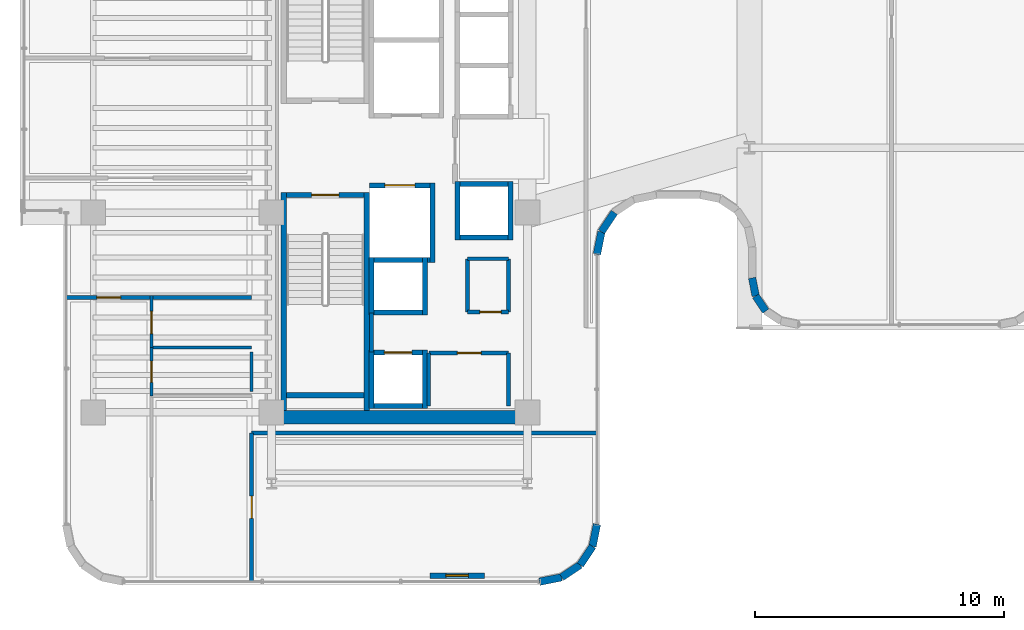
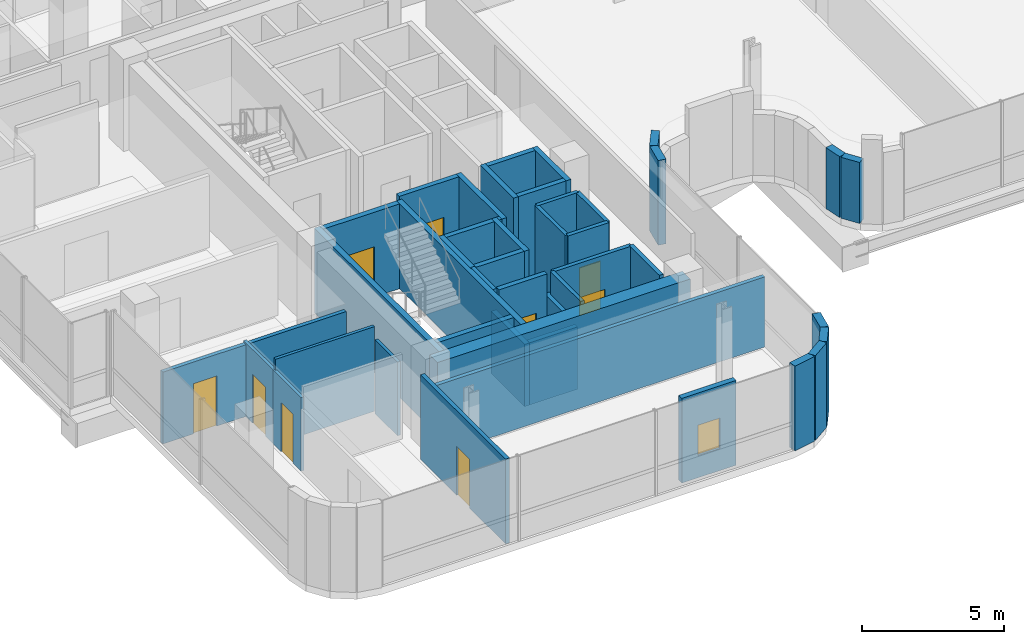
# One storey, part 26 of 38: 43 walls, 9 doors, 1 window, 10 openings.
"""IFC4 building model written with IfcOpenShell, lengths in metres."""

from ifc_helpers import new_model, si_unit, direction, frame, frame_2d, origin, place, context, subcontext, project, spatial, rectangle, extrude, material, layer, layer_set, type_object, element, fill, save


model = new_model("IFC4")

# Units and contexts
model_context = context("Model", 3, precision=1e-05, world=origin(), true_north=direction((0.0, 1.0)))
body_context = subcontext(model_context, "Body", "Model", "MODEL_VIEW")
ifc_project = project(units=[si_unit("LENGTHUNIT", "METRE"), si_unit("AREAUNIT", "SQUARE_METRE"), si_unit("VOLUMEUNIT", "CUBIC_METRE"), si_unit("PLANEANGLEUNIT", "RADIAN"), si_unit("MASSUNIT", "GRAM", prefix="KILO")], contexts=[model_context])

# Site, building, storey
site_placement = place(None, origin())
site = spatial("IfcSite", under=ifc_project, at=site_placement, CompositionType="ELEMENT")
building_placement = place(site_placement, origin())
building = spatial("IfcBuilding", under=site, at=building_placement, Name="Valdorenza Pilgrim Sanctuary Tower", CompositionType="ELEMENT")
storey_placement = place(building_placement, frame((0.0, 0.0, 180.5)))
storey = spatial("IfcBuildingStorey", under=building, at=storey_placement, Name="L46", CompositionType="ELEMENT", Elevation=180.5)

# Wall
ifc_material_1 = material(Name="Acoustic twin-stud gypsum partition", Category="gypsum")
ifc_layer_1 = layer(ifc_material_1, 0.159912109375, Name="Acoustic twin-stud gypsum partition")
ifc_layer_set_1 = layer_set([ifc_layer_1], Name="Acoustic twin-stud gypsum partition")
wall_type_1 = type_object("IfcWallType", Name="WAL-COR-160", PredefinedType="PARTITIONING", material=ifc_layer_set_1)
wall_1_placement = place(storey_placement, frame((-18.64990234375, -8.179931640625, 0.0), z_axis=(0.0, 0.0, 1.0), x_axis=(0.0, 1.0, 0.0)))
element("IfcWall", 1, at=wall_1_placement, inside=storey, type_object=wall_type_1, Name="L46 Core A South Lift Hall West Wall", PredefinedType="PARTITIONING", context=body_context, shape_type="SweptSolid", body=[
    extrude(rectangle(XDim=1.559814453125, YDim=0.159912109375, at=frame_2d((0.77978515625, 0.0))), origin(), (0.0, 0.0, 1.0), 3.6298828125),
])

# Wall, opening, door
wall_2_placement = place(storey_placement, frame((-16.35009765625, -8.219970703125, 0.0), z_axis=(0.0, 0.0, 1.0), x_axis=(1.0, 0.0, 0.0)))
wall_2 = element("IfcWall", 2, at=wall_2_placement, inside=storey, type_object=wall_type_1, Name="L46 Freed Shaft 1 North Wall", PredefinedType="PARTITIONING", context=body_context, shape_type="SweptSolid", body=[
    extrude(rectangle(XDim=3.2001953125, YDim=0.159912109375, at=frame_2d((1.60009765625, 0.0))), origin(), (0.0, 0.0, 1.0), 3.6298828125),
])
opening_1_placement = place(wall_2_placement, frame((1.14990234375, 0.0, 0.0)))
opening_1 = element("IfcOpeningElement", 3, at=opening_1_placement, cuts=wall_2, Name="Opening DR-UN1", PredefinedType="OPENING", context=body_context, shape_type="SweptSolid", body=[
    extrude(rectangle(XDim=0.949951171875, YDim=2.14990234375, at=frame_2d((0.47509765625, 1.074951171875))), frame((0.0, 0.0947265625, 0.0), z_axis=(0.0, -1.0, 0.0), x_axis=(1.0, 0.0, 0.0)), (0.0, 0.0, 1.0), 0.189697265625),
])
ifc_material_2 = material(Name="Solid-core European oak timber", Category="wood")
door_type_1 = type_object("IfcDoorType", Name="DR-UNIT-950", OperationType="NOTDEFINED", PredefinedType="DOOR", material=ifc_material_2)
door_1_placement = place(opening_1_placement, origin())
door_1 = element("IfcDoor", 4, at=door_1_placement, inside=storey, type_object=door_type_1, Name="L46 Back-of-House Linen Store Door", OperationType="SINGLE_SWING_RIGHT", OverallHeight=2.14990234375, OverallWidth=0.949951171875, PredefinedType="DOOR", context=body_context, shape_type="SweptSolid", body=[
    extrude(rectangle(XDim=0.949951171875, YDim=2.14990234375, at=frame_2d((0.47509765625, 1.074951171875))), frame((0.0, 0.02490234375, 0.0), z_axis=(0.0, -1.0, 0.0), x_axis=(1.0, 0.0, 0.0)), (0.0, 0.0, 1.0), 0.050048828125),
])
fill(opening_1, door_1)

# Wall
wall_3_placement = place(storey_placement, frame((-13.14990234375, -10.35009765625, 0.0), z_axis=(0.0, 0.0, 1.0), x_axis=(0.0, 1.0, 0.0)))
element("IfcWall", 5, at=wall_3_placement, inside=storey, type_object=wall_type_1, Name="L46 Freed Shaft 1 East Wall", PredefinedType="PARTITIONING", context=body_context, shape_type="SweptSolid", body=[
    extrude(rectangle(XDim=2.130126953125, YDim=0.159912109375, at=frame_2d((1.06494140625, 0.0))), origin(), (0.0, 0.0, 1.0), 3.6298828125),
])

# Wall, opening, door
wall_4_placement = place(storey_placement, frame((-14.800048828125, -6.580078125, 0.0), z_axis=(0.0, 0.0, 1.0), x_axis=(1.0, 0.0, 0.0)))
wall_4 = element("IfcWall", 6, at=wall_4_placement, inside=storey, type_object=wall_type_1, Name="L46 Freed Shaft 2 South Wall", PredefinedType="PARTITIONING", context=body_context, shape_type="SweptSolid", body=[
    extrude(rectangle(XDim=1.650146484375, YDim=0.159912109375, at=frame_2d((0.8251953125, 0.0))), origin(), (0.0, 0.0, 1.0), 3.6298828125),
])
opening_2_placement = place(wall_4_placement, frame((0.5, 0.0, 0.0)))
opening_2 = element("IfcOpeningElement", 7, at=opening_2_placement, cuts=wall_4, Name="Opening DR-RS1", PredefinedType="OPENING", context=body_context, shape_type="SweptSolid", body=[
    extrude(rectangle(XDim=0.85009765625, YDim=2.050048828125, at=frame_2d((0.425048828125, 1.02490234375))), frame((0.0, 0.0947265625, 0.0), z_axis=(0.0, -1.0, 0.0), x_axis=(1.0, 0.0, 0.0)), (0.0, 0.0, 1.0), 0.189697265625),
])
ifc_material_3 = material(Name="Painted galvanized steel", Category="steel")
door_type_2 = type_object("IfcDoorType", Name="DR-RSR-850", OperationType="NOTDEFINED", PredefinedType="DOOR", material=ifc_material_3)
door_2_placement = place(opening_2_placement, origin())
door_2 = element("IfcDoor", 8, at=door_2_placement, inside=storey, type_object=door_type_2, Name="L46 Guest Tea Pantry Door", OperationType="SINGLE_SWING_LEFT", OverallHeight=2.050048828125, OverallWidth=0.85009765625, PredefinedType="DOOR", context=body_context, shape_type="SweptSolid", body=[
    extrude(rectangle(XDim=0.85009765625, YDim=2.050048828125, at=frame_2d((0.425048828125, 1.02490234375))), frame((0.0, 0.02490234375, 0.0), z_axis=(0.0, -1.0, 0.0), x_axis=(1.0, 0.0, 0.0)), (0.0, 0.0, 1.0), 0.050048828125),
])
fill(opening_2, door_2)

# Walls
wall_5_placement = place(storey_placement, frame((-13.14990234375, -6.580078125, 0.0), z_axis=(0.0, 0.0, 1.0), x_axis=(0.0, 1.0, 0.0)))
element("IfcWall", 9, at=wall_5_placement, inside=storey, type_object=wall_type_1, Name="L46 Freed Shaft 2 East Wall", PredefinedType="PARTITIONING", context=body_context, shape_type="SweptSolid", body=[
    extrude(rectangle(XDim=2.130126953125, YDim=0.159912109375, at=frame_2d((1.06494140625, 0.0))), origin(), (0.0, 0.0, 1.0), 3.6298828125),
])
wall_6_placement = place(storey_placement, frame((-23.449951171875, -11.419921875, 0.0), z_axis=(0.0, 0.0, 1.0), x_axis=(1.0, 0.0, 0.0)))
element("IfcWall", 10, at=wall_6_placement, inside=storey, type_object=wall_type_1, Name="L46 South-East Pocket North Wall", PredefinedType="PARTITIONING", context=body_context, shape_type="SweptSolid", body=[
    extrude(rectangle(XDim=13.83984375, YDim=0.159912109375, at=frame_2d((6.919921875, 0.0))), origin(), (0.0, 0.0, 1.0), 3.00390625),
])

# Wall, opening, door
wall_7_placement = place(storey_placement, frame((-23.449951171875, -17.389892578125, 0.0), z_axis=(0.0, 0.0, 1.0), x_axis=(0.0, 1.0, 0.0)))
wall_7 = element("IfcWall", 11, at=wall_7_placement, inside=storey, type_object=wall_type_1, Name="L46 South-East Pocket West Wall", PredefinedType="PARTITIONING", context=body_context, shape_type="SweptSolid", body=[
    extrude(rectangle(XDim=5.969970703125, YDim=0.159912109375, at=frame_2d((2.98486328125, 0.0))), origin(), (0.0, 0.0, 1.0), 3.6298828125),
])
opening_3_placement = place(wall_7_placement, frame((2.534912109375, 0.0, 0.0)))
opening_3 = element("IfcOpeningElement", 12, at=opening_3_placement, cuts=wall_7, Name="Opening DR-RM1", PredefinedType="OPENING", context=body_context, shape_type="SweptSolid", body=[
    extrude(rectangle(XDim=0.89990234375, YDim=2.10009765625, at=frame_2d((0.449951171875, 1.050048828125))), frame((0.0, 0.0947265625, 0.0), z_axis=(0.0, -1.0, 0.0), x_axis=(1.0, 0.0, 0.0)), (0.0, 0.0, 1.0), 0.189697265625),
])
door_type_3 = type_object("IfcDoorType", Name="DR-ROOM-900", OperationType="NOTDEFINED", PredefinedType="DOOR", material=ifc_material_2)
door_3_placement = place(opening_3_placement, origin())
door_3 = element("IfcDoor", 13, at=door_3_placement, inside=storey, type_object=door_type_3, Name="L46 South Panoramic Viewing Salon L46 Door", OperationType="SINGLE_SWING_RIGHT", OverallHeight=2.10009765625, OverallWidth=0.89990234375, PredefinedType="DOOR", context=body_context, shape_type="SweptSolid", body=[
    extrude(rectangle(XDim=0.89990234375, YDim=2.10009765625, at=frame_2d((0.449951171875, 1.050048828125))), frame((0.0, 0.02490234375, 0.0), z_axis=(0.0, -1.0, 0.0), x_axis=(1.0, 0.0, 0.0)), (0.0, 0.0, 1.0), 0.050048828125),
])
fill(opening_3, door_3)

wall_8_placement = place(storey_placement, frame((-30.889892578125, -6.0, 0.0), z_axis=(0.0, 0.0, 1.0), x_axis=(1.0, 0.0, 0.0)))
wall_8 = element("IfcWall", 14, at=wall_8_placement, inside=storey, type_object=wall_type_1, Name="L46 Cloister South Room Wall", PredefinedType="PARTITIONING", context=body_context, shape_type="SweptSolid", body=[
    extrude(rectangle(XDim=7.43994140625, YDim=0.159912109375, at=frame_2d((3.719970703125, 0.0))), origin(), (0.0, 0.0, 1.0), 3.075927734375),
])
opening_4_placement = place(wall_8_placement, frame((1.236083984375, 0.0, 0.0)))
opening_4 = element("IfcOpeningElement", 15, at=opening_4_placement, cuts=wall_8, Name="Opening DR-UN1", PredefinedType="OPENING", context=body_context, shape_type="SweptSolid", body=[
    extrude(rectangle(XDim=0.949951171875, YDim=2.14990234375, at=frame_2d((0.47509765625, 1.074951171875))), frame((0.0, 0.0947265625, 0.0), z_axis=(0.0, -1.0, 0.0), x_axis=(1.0, 0.0, 0.0)), (0.0, 0.0, 1.0), 0.189697265625),
])
door_4_placement = place(opening_4_placement, frame((0.949951171875, 0.0, 0.0), z_axis=(0.0, 0.0, 1.0), x_axis=(-1.0, 0.0, 0.0)))
door_4 = element("IfcDoor", 16, at=door_4_placement, inside=storey, type_object=door_type_1, Name="L46 Sanctuary Apartment L46-CS1 Entrance Door", OperationType="SINGLE_SWING_LEFT", OverallHeight=2.14990234375, OverallWidth=0.949951171875, PredefinedType="DOOR", context=body_context, shape_type="SweptSolid", body=[
    extrude(rectangle(XDim=0.949951171875, YDim=2.14990234375, at=frame_2d((0.47509765625, 1.074951171875))), frame((0.0, 0.02490234375, 0.0), z_axis=(0.0, -1.0, 0.0), x_axis=(1.0, 0.0, 0.0)), (0.0, 0.0, 1.0), 0.050048828125),
])
fill(opening_4, door_4)

# Walls
ifc_material_4 = material(Name="Concrete C50/60", Category="concrete")
ifc_layer_2 = layer(ifc_material_4, 0.550048828125, Name="Concrete C50/60")
ifc_layer_set_2 = layer_set([ifc_layer_2], Name="Concrete C50/60")
wall_type_2 = type_object("IfcWallType", Name="WAL-COR-550", PredefinedType="SHEAR", material=ifc_layer_set_2)
wall_9_placement = place(storey_placement, frame((-22.64990234375, -10.800048828125, 0.0), z_axis=(0.0, 0.0, 1.0), x_axis=(1.0, 0.0, 0.0)))
element("IfcWall", 17, at=wall_9_placement, inside=storey, type_object=wall_type_2, Name="L46 Split Core A Shear Wall S", PredefinedType="SHEAR", context=body_context, shape_type="SweptSolid", body=[
    extrude(rectangle(XDim=10.25, YDim=0.550048828125, at=frame_2d((5.125, 0.0))), origin(), (0.0, 0.0, 1.0), 3.6298828125),
])
ifc_material_5 = material(Name="Honed travertine limestone", Category="masonry")
ifc_layer_3 = layer(ifc_material_5, 0.300048828125, Name="Honed travertine limestone")
ifc_layer_set_3 = layer_set([ifc_layer_3], Name="Honed travertine limestone")
wall_type_3 = type_object("IfcWallType", Name="WAL-EXT-300", PredefinedType="SOLIDWALL", material=ifc_layer_set_3)
wall_10_placement = place(storey_placement, frame((-2.841796875, -6.5419921875, 0.0), z_axis=(0.0, 0.0, 1.0), x_axis=(-0.555784030735, 0.83132671747, 0.0)))
element("IfcWall", 18, at=wall_10_placement, inside=storey, type_object=wall_type_3, Name="L46 Rounded Wind-Corner Stone Pier 65", PredefinedType="SOLIDWALL", context=body_context, shape_type="SweptSolid", body=[
    extrude(rectangle(XDim=0.7275390625, YDim=0.300048828125, at=frame_2d((0.36376953125, 0.0))), origin(), (0.0, 0.0, 1.0), 2.614990234375),
])
wall_11_placement = place(storey_placement, frame((-3.24609375, -5.937255859375, 0.0), z_axis=(0.0, 0.0, 1.0), x_axis=(-0.194780446724, 0.980846867546, 0.0)))
element("IfcWall", 19, at=wall_11_placement, inside=storey, type_object=wall_type_3, Name="L46 Rounded Wind-Corner Stone Pier 66", PredefinedType="SOLIDWALL", context=body_context, shape_type="SweptSolid", body=[
    extrude(rectangle(XDim=0.73828125, YDim=0.300048828125, at=frame_2d((0.369140625, 0.0))), origin(), (0.0, 0.0, 1.0), 2.614990234375),
])
wall_12_placement = place(storey_placement, frame((-8.91162109375, -2.58837890625, 0.0), z_axis=(0.0, 0.0, 1.0), x_axis=(-0.555364065883, -0.831607331814, 0.0)))
element("IfcWall", 20, at=wall_12_placement, inside=storey, type_object=wall_type_3, Name="L46 Rounded Wind-Corner Stone Pier 75", PredefinedType="SOLIDWALL", context=body_context, shape_type="SweptSolid", body=[
    extrude(rectangle(XDim=0.933349609375, YDim=0.300048828125, at=frame_2d((0.466796875, 0.0))), origin(), (0.0, 0.0, 1.0), 3.6298828125),
])
wall_13_placement = place(storey_placement, frame((-9.429931640625, -3.364501953125, 0.0), z_axis=(0.0, 0.0, 1.0), x_axis=(-0.195301801101, -0.980743190895, 0.0)))
element("IfcWall", 21, at=wall_13_placement, inside=storey, type_object=wall_type_3, Name="L46 Rounded Wind-Corner Stone Pier 76", PredefinedType="SOLIDWALL", context=body_context, shape_type="SweptSolid", body=[
    extrude(rectangle(XDim=0.922607421875, YDim=0.300048828125, at=frame_2d((0.46142578125, 0.0))), origin(), (0.0, 0.0, 1.0), 3.6298828125),
])
wall_14_placement = place(storey_placement, frame((-9.610107421875, -15.089111328125, 0.0), z_axis=(0.0, 0.0, 1.0), x_axis=(-0.195025152871, -0.980798241101, 0.0)))
element("IfcWall", 22, at=wall_14_placement, inside=storey, type_object=wall_type_3, Name="L46 Rounded Wind-Corner Stone Pier 78", PredefinedType="SOLIDWALL", context=body_context, shape_type="SweptSolid", body=[
    extrude(rectangle(XDim=0.90380859375, YDim=0.300048828125, at=frame_2d((0.451904296875, 0.0))), origin(), (0.0, 0.0, 1.0), 3.6298828125),
])
for number, where, z_axis, x_axis, name in (
    (23, (-9.786376953125, -15.9755859375, 0.0), (0.0, 0.0, 1.0), (-0.555520488502, -0.831502848374, 0.0), "L46 Rounded Wind-Corner Stone Pier 79"),
    (24, (-10.2822265625, -16.7177734375, 0.0), (0.0, 0.0, 1.0), (-0.831502848374, -0.555520488502, 0.0), "L46 Rounded Wind-Corner Stone Pier 80"),
):
    element("IfcWall", number, at=place(storey_placement, frame(where, z_axis=z_axis, x_axis=x_axis)), inside=storey, type_object=wall_type_3, Name=name, PredefinedType="SOLIDWALL", context=body_context, shape_type="SweptSolid", body=[
        extrude(rectangle(XDim=0.892578125, YDim=0.300048828125, at=frame_2d((0.4462890625, 0.0))), origin(), (0.0, 0.0, 1.0), 3.6298828125),
    ])
wall_15_placement = place(storey_placement, frame((-11.0244140625, -17.213623046875, 0.0), z_axis=(0.0, 0.0, 1.0), x_axis=(-0.980798241101, -0.195025152871, 0.0)))
element("IfcWall", 25, at=wall_15_placement, inside=storey, type_object=wall_type_3, Name="L46 Rounded Wind-Corner Stone Pier 81", PredefinedType="SOLIDWALL", context=body_context, shape_type="SweptSolid", body=[
    extrude(rectangle(XDim=0.90380859375, YDim=0.300048828125, at=frame_2d((0.451904296875, 0.0))), origin(), (0.0, 0.0, 1.0), 3.6298828125),
])

# Wall, opening, window
wall_16_placement = place(storey_placement, frame((-14.11083984375, -17.14990234375, 0.0), z_axis=(0.0, 0.0, 1.0), x_axis=(-1.0, 0.0, 0.0)))
wall_16 = element("IfcWall", 26, at=wall_16_placement, inside=storey, type_object=wall_type_3, Name="L46 Operable Ventilation Sash Jamb Pier", PredefinedType="SOLIDWALL", context=body_context, shape_type="SweptSolid", body=[
    extrude(rectangle(XDim=2.199951171875, YDim=0.219970703125, at=frame_2d((1.10009765625, 0.0))), origin(), (0.0, 0.0, 1.0), 3.6298828125),
])
opening_5_placement = place(wall_16_placement, frame((0.64990234375, 0.0, 0.949951171875)))
opening_5 = element("IfcOpeningElement", 27, at=opening_5_placement, cuts=wall_16, Name="Opening WN-OP1", PredefinedType="OPENING", context=body_context, shape_type="SweptSolid", body=[
    extrude(rectangle(XDim=0.89990234375, YDim=1.300048828125, at=frame_2d((0.449951171875, 0.64990234375))), frame((0.0, 0.125, 0.0), z_axis=(0.0, -1.0, 0.0), x_axis=(1.0, 0.0, 0.0)), (0.0, 0.0, 1.0), 0.249755859375),
])
ifc_material_6 = material(Name="Ceramic-fritted low-E IGU glazing", Category="glass")
window_type = type_object("IfcWindowType", Name="WIN-OPN-900", PartitioningType="SINGLE_PANEL", PredefinedType="WINDOW", material=ifc_material_6)
window_placement = place(opening_5_placement, origin())
window = element("IfcWindow", 28, at=window_placement, inside=storey, type_object=window_type, Name="L46 Parallel-Pop-Out Operable Facade Panel", OverallHeight=1.300048828125, OverallWidth=0.89990234375, PartitioningType="SINGLE_PANEL", PredefinedType="WINDOW", context=body_context, shape_type="SweptSolid", body=[
    extrude(rectangle(XDim=0.89990234375, YDim=1.300048828125, at=frame_2d((0.449951171875, 0.64990234375))), frame((0.0, 0.030029296875, 0.0), z_axis=(0.0, -1.0, 0.0), x_axis=(1.0, 0.0, 0.0)), (0.0, 0.0, 1.0), 0.06005859375),
])
fill(opening_5, window)

# Wall
ifc_material_7 = material(Name="Moisture-resistant gypsum partition", Category="gypsum")
ifc_layer_4 = layer(ifc_material_7, 0.1201171875, Name="Moisture-resistant gypsum partition")
ifc_layer_set_4 = layer_set([ifc_layer_4], Name="Moisture-resistant gypsum partition")
wall_type_4 = type_object("IfcWallType", Name="WAL-INT-120", PredefinedType="PARTITIONING", material=ifc_layer_set_4)
wall_17_placement = place(storey_placement, frame((-27.467529296875, -8.0, 0.0), z_axis=(0.0, 0.0, 1.0), x_axis=(1.0, 0.0, 0.0)))
element("IfcWall", 29, at=wall_17_placement, inside=storey, type_object=wall_type_4, Name="L46 Sanctuary Apartment L46-CS1 Bath-Kitchen Wall", PredefinedType="PARTITIONING", context=body_context, shape_type="SweptSolid", body=[
    extrude(rectangle(XDim=4.017578125, YDim=0.1201171875, at=frame_2d((2.0087890625, 0.0))), origin(), (0.0, 0.0, 1.0), 3.6298828125),
])

# Wall, opening, door
wall_18_placement = place(storey_placement, frame((-27.467529296875, -9.949951171875, 0.0), z_axis=(0.0, 0.0, 1.0), x_axis=(0.0, 1.0, 0.0)))
wall_18 = element("IfcWall", 30, at=wall_18_placement, inside=storey, type_object=wall_type_4, Name="L46 Sanctuary Apartment L46-CS1 Bathroom Door Wall", PredefinedType="PARTITIONING", context=body_context, shape_type="SweptSolid", body=[
    extrude(rectangle(XDim=1.949951171875, YDim=0.1201171875, at=frame_2d((0.97509765625, 0.0))), origin(), (0.0, 0.0, 1.0), 3.157958984375),
])
opening_6_placement = place(wall_18_placement, frame((0.550048828125, 0.0, 0.0)))
opening_6 = element("IfcOpeningElement", 31, at=opening_6_placement, cuts=wall_18, Name="Opening DR-WC1", PredefinedType="OPENING", context=body_context, shape_type="SweptSolid", body=[
    extrude(rectangle(XDim=0.85009765625, YDim=2.10009765625, at=frame_2d((0.425048828125, 1.050048828125))), frame((0.0, 0.074951171875, 0.0), z_axis=(0.0, -1.0, 0.0), x_axis=(1.0, 0.0, 0.0)), (0.0, 0.0, 1.0), 0.14990234375),
])
ifc_material_8 = material(Name="Moisture-resistant lacquered timber", Category="wood")
door_type_4 = type_object("IfcDoorType", Name="DR-BATH-850", OperationType="NOTDEFINED", PredefinedType="DOOR", material=ifc_material_8)
door_5_placement = place(opening_6_placement, origin())
door_5 = element("IfcDoor", 32, at=door_5_placement, inside=storey, type_object=door_type_4, Name="L46 Sanctuary Apartment L46-CS1 Bathroom Door", OperationType="SINGLE_SWING_RIGHT", OverallHeight=2.10009765625, OverallWidth=0.85009765625, PredefinedType="DOOR", context=body_context, shape_type="SweptSolid", body=[
    extrude(rectangle(XDim=0.85009765625, YDim=2.10009765625, at=frame_2d((0.425048828125, 1.050048828125))), frame((0.0, 0.02490234375, 0.0), z_axis=(0.0, -1.0, 0.0), x_axis=(1.0, 0.0, 0.0)), (0.0, 0.0, 1.0), 0.050048828125),
])
fill(opening_6, door_5)

wall_19_placement = place(storey_placement, frame((-27.467529296875, -8.0, 0.0), z_axis=(0.0, 0.0, 1.0), x_axis=(0.0, 1.0, 0.0)))
wall_19 = element("IfcWall", 33, at=wall_19_placement, inside=storey, type_object=wall_type_4, Name="L46 Sanctuary Apartment L46-CS1 Kitchen Door Wall", PredefinedType="PARTITIONING", context=body_context, shape_type="SweptSolid", body=[
    extrude(rectangle(XDim=2.080078125, YDim=0.1201171875, at=frame_2d((1.0400390625, 0.0))), origin(), (0.0, 0.0, 1.0), 3.157958984375),
])
opening_7_placement = place(wall_19_placement, frame((0.550048828125, 0.0, 0.0)))
opening_7 = element("IfcOpeningElement", 34, at=opening_7_placement, cuts=wall_19, Name="Opening DR-RM1", PredefinedType="OPENING", context=body_context, shape_type="SweptSolid", body=[
    extrude(rectangle(XDim=0.89990234375, YDim=2.10009765625, at=frame_2d((0.449951171875, 1.050048828125))), frame((0.0, 0.074951171875, 0.0), z_axis=(0.0, -1.0, 0.0), x_axis=(1.0, 0.0, 0.0)), (0.0, 0.0, 1.0), 0.14990234375),
])
door_6_placement = place(opening_7_placement, origin())
door_6 = element("IfcDoor", 35, at=door_6_placement, inside=storey, type_object=door_type_3, Name="L46 Sanctuary Apartment L46-CS1 Kitchen Door", OperationType="SINGLE_SWING_LEFT", OverallHeight=2.10009765625, OverallWidth=0.89990234375, PredefinedType="DOOR", context=body_context, shape_type="SweptSolid", body=[
    extrude(rectangle(XDim=0.89990234375, YDim=2.10009765625, at=frame_2d((0.449951171875, 1.050048828125))), frame((0.0, 0.02490234375, 0.0), z_axis=(0.0, -1.0, 0.0), x_axis=(1.0, 0.0, 0.0)), (0.0, 0.0, 1.0), 0.050048828125),
])
fill(opening_7, door_6)

# Walls
wall_20_placement = place(storey_placement, frame((-23.449951171875, -9.77001953125, 0.0), z_axis=(0.0, 0.0, 1.0), x_axis=(0.0, 1.0, 0.0)))
element("IfcWall", 36, at=wall_20_placement, inside=storey, type_object=wall_type_4, Name="L46 CL-SF1-BTH Enclosure Wall E", PredefinedType="PARTITIONING", context=body_context, shape_type="SweptSolid", body=[
    extrude(rectangle(XDim=1.590087890625, YDim=0.1201171875, at=frame_2d((0.794921875, 0.0))), origin(), (0.0, 0.0, 1.0), 3.157958984375),
])
ifc_material_9 = material(Name="Autoclaved aerated concrete blockwork", Category="masonry")
ifc_layer_5 = layer(ifc_material_9, 0.199951171875, Name="Autoclaved aerated concrete blockwork")
ifc_layer_set_5 = layer_set([ifc_layer_5], Name="Autoclaved aerated concrete blockwork")
wall_type_5 = type_object("IfcWallType", Name="WAL-SHF-200", PredefinedType="MOVABLE", material=ifc_layer_set_5)
wall_21_placement = place(storey_placement, frame((-16.199951171875, -4.60009765625, 0.0), z_axis=(0.0, 0.0, 1.0), x_axis=(0.0, 1.0, 0.0)))
element("IfcWall", 37, at=wall_21_placement, inside=storey, type_object=wall_type_5, Name="L46 Lift FFL-02 Hoistway Wall East", PredefinedType="MOVABLE", context=body_context, shape_type="SweptSolid", body=[
    extrude(rectangle(XDim=3.2001953125, YDim=0.199951171875, at=frame_2d((1.60009765625, 0.0))), origin(), (0.0, 0.0, 1.0), 3.6298828125),
])
wall_22_placement = place(storey_placement, frame((-18.719970703125, -4.5, 0.0), z_axis=(0.0, 0.0, 1.0), x_axis=(1.0, 0.0, 0.0)))
element("IfcWall", 38, at=wall_22_placement, inside=storey, type_object=wall_type_5, Name="L46 Lift FFL-02 Hoistway Wall South", PredefinedType="MOVABLE", context=body_context, shape_type="SweptSolid", body=[
    extrude(rectangle(XDim=2.419921875, YDim=0.199951171875, at=frame_2d((1.2099609375, 0.0))), origin(), (0.0, 0.0, 1.0), 3.6298828125),
])

# Wall, opening, door
wall_23_placement = place(storey_placement, frame((-18.719970703125, -1.5, 0.0), z_axis=(0.0, 0.0, 1.0), x_axis=(1.0, 0.0, 0.0)))
wall_23 = element("IfcWall", 39, at=wall_23_placement, inside=storey, type_object=wall_type_5, Name="L46 Lift FFL-02 Hoistway Wall North", PredefinedType="MOVABLE", context=body_context, shape_type="SweptSolid", body=[
    extrude(rectangle(XDim=2.419921875, YDim=0.199951171875, at=frame_2d((1.2099609375, 0.0))), origin(), (0.0, 0.0, 1.0), 3.6298828125),
])
opening_8_placement = place(wall_23_placement, frame((0.610107421875, 0.0, 0.0)))
opening_8 = element("IfcOpeningElement", 40, at=opening_8_placement, cuts=wall_23, Name="Opening LD-02", PredefinedType="OPENING", context=body_context, shape_type="SweptSolid", body=[
    extrude(rectangle(XDim=1.199951171875, YDim=2.10009765625, at=frame_2d((0.60009765625, 1.050048828125))), frame((0.0, 0.11474609375, 0.0), z_axis=(0.0, -1.0, 0.0), x_axis=(1.0, 0.0, 0.0)), (0.0, 0.0, 1.0), 0.229736328125),
])
ifc_material_10 = material(Name="Brushed stainless steel Grade 316", Category="steel")
door_type_5 = type_object("IfcDoorType", Name="DR-LFT-1200", OperationType="DOUBLE_DOOR_SLIDING", PredefinedType="DOOR", material=ifc_material_10)
door_7_placement = place(opening_8_placement, origin())
door_7 = element("IfcDoor", 41, at=door_7_placement, inside=storey, type_object=door_type_5, Name="L46 Lift FFL-02 Sliding Landing Door", OperationType="DOUBLE_DOOR_SLIDING", OverallHeight=2.10009765625, OverallWidth=1.199951171875, PredefinedType="DOOR", context=body_context, shape_type="SweptSolid", body=[
    extrude(rectangle(XDim=1.199951171875, YDim=2.10009765625, at=frame_2d((0.60009765625, 1.050048828125))), frame((0.0, 0.02490234375, 0.0), z_axis=(0.0, -1.0, 0.0), x_axis=(1.0, 0.0, 0.0)), (0.0, 0.0, 1.0), 0.050048828125),
])
fill(opening_8, door_7)

# Walls
for number, where, z_axis, x_axis, name in (
    (42, (-18.64990234375, -10.449951171875, 0.0), (0.0, 0.0, 1.0), (0.0, 1.0, 0.0), "L46 Lift PL-05 Hoistway Wall West"),
    (43, (-16.5, -10.449951171875, 0.0), (0.0, 0.0, 1.0), (0.0, 1.0, 0.0), "L46 Lift PL-05 Hoistway Wall East"),
):
    element("IfcWall", number, at=place(storey_placement, frame(where, z_axis=z_axis, x_axis=x_axis)), inside=storey, type_object=wall_type_5, Name=name, PredefinedType="MOVABLE", context=body_context, shape_type="SweptSolid", body=[
        extrude(rectangle(XDim=2.349853515625, YDim=0.199951171875, at=frame_2d((1.1748046875, 0.0))), origin(), (0.0, 0.0, 1.0), 2.6650390625),
    ])
wall_24_placement = place(storey_placement, frame((-18.550048828125, -10.35009765625, 0.0), z_axis=(0.0, 0.0, 1.0), x_axis=(1.0, 0.0, 0.0)))
element("IfcWall", 44, at=wall_24_placement, inside=storey, type_object=wall_type_5, Name="L46 Lift PL-05 Hoistway Wall South", PredefinedType="MOVABLE", context=body_context, shape_type="SweptSolid", body=[
    extrude(rectangle(XDim=1.949951171875, YDim=0.199951171875, at=frame_2d((0.97509765625, 0.0))), origin(), (0.0, 0.0, 1.0), 2.6650390625),
])

# Wall, opening, door
wall_25_placement = place(storey_placement, frame((-18.550048828125, -8.199951171875, 0.0), z_axis=(0.0, 0.0, 1.0), x_axis=(1.0, 0.0, 0.0)))
wall_25 = element("IfcWall", 45, at=wall_25_placement, inside=storey, type_object=wall_type_5, Name="L46 Lift PL-05 Hoistway Wall North", PredefinedType="MOVABLE", context=body_context, shape_type="SweptSolid", body=[
    extrude(rectangle(XDim=1.949951171875, YDim=0.199951171875, at=frame_2d((0.97509765625, 0.0))), origin(), (0.0, 0.0, 1.0), 3.6298828125),
])
opening_9_placement = place(wall_25_placement, frame((0.425048828125, 0.0, 0.0)))
opening_9 = element("IfcOpeningElement", 46, at=opening_9_placement, cuts=wall_25, Name="Opening LD-01", PredefinedType="OPENING", context=body_context, shape_type="SweptSolid", body=[
    extrude(rectangle(XDim=1.10009765625, YDim=2.10009765625, at=frame_2d((0.550048828125, 1.050048828125))), frame((0.0, 0.11474609375, 0.0), z_axis=(0.0, -1.0, 0.0), x_axis=(1.0, 0.0, 0.0)), (0.0, 0.0, 1.0), 0.229736328125),
])
door_type_6 = type_object("IfcDoorType", Name="DR-LFT-1100", OperationType="DOUBLE_DOOR_SLIDING", PredefinedType="DOOR", material=ifc_material_10)
door_8_placement = place(opening_9_placement, origin())
door_8 = element("IfcDoor", 47, at=door_8_placement, inside=storey, type_object=door_type_6, Name="L46 Lift PL-05 Sliding Landing Door", OperationType="DOUBLE_DOOR_SLIDING", OverallHeight=2.10009765625, OverallWidth=1.10009765625, PredefinedType="DOOR", context=body_context, shape_type="SweptSolid", body=[
    extrude(rectangle(XDim=1.10009765625, YDim=2.10009765625, at=frame_2d((0.550048828125, 1.050048828125))), frame((0.0, 0.02490234375, 0.0), z_axis=(0.0, -1.0, 0.0), x_axis=(1.0, 0.0, 0.0)), (0.0, 0.0, 1.0), 0.050048828125),
])
fill(opening_9, door_8)

# Walls
for number, where, z_axis, x_axis, name in (
    (48, (-18.64990234375, -6.699951171875, 0.0), (0.0, 0.0, 1.0), (0.0, 1.0, 0.0), "L46 Lift PL-11 Hoistway Wall West"),
    (49, (-16.5, -6.699951171875, 0.0), (0.0, 0.0, 1.0), (0.0, 1.0, 0.0), "L46 Lift PL-11 Hoistway Wall East"),
):
    element("IfcWall", number, at=place(storey_placement, frame(where, z_axis=z_axis, x_axis=x_axis)), inside=storey, type_object=wall_type_5, Name=name, PredefinedType="MOVABLE", context=body_context, shape_type="SweptSolid", body=[
        extrude(rectangle(XDim=2.300048828125, YDim=0.199951171875, at=frame_2d((1.14990234375, 0.0))), origin(), (0.0, 0.0, 1.0), 3.6298828125),
    ])
wall_26_placement = place(storey_placement, frame((-18.550048828125, -6.60009765625, 0.0), z_axis=(0.0, 0.0, 1.0), x_axis=(1.0, 0.0, 0.0)))
element("IfcWall", 50, at=wall_26_placement, inside=storey, type_object=wall_type_5, Name="L46 Lift PL-11 Hoistway Wall South", PredefinedType="MOVABLE", context=body_context, shape_type="SweptSolid", body=[
    extrude(rectangle(XDim=1.949951171875, YDim=0.199951171875, at=frame_2d((0.97509765625, 0.0))), origin(), (0.0, 0.0, 1.0), 3.6298828125),
])
for number, where, z_axis, x_axis, name in (
    (51, (-15.199951171875, -3.699951171875, 0.0), (0.0, 0.0, 1.0), (0.0, 1.0, 0.0), "L46 Lift PL-12 Hoistway Wall West"),
    (52, (-13.080078125, -3.699951171875, 0.0), (0.0, 0.0, 1.0), (0.0, 1.0, 0.0), "L46 Lift PL-12 Hoistway Wall East"),
):
    element("IfcWall", number, at=place(storey_placement, frame(where, z_axis=z_axis, x_axis=x_axis)), inside=storey, type_object=wall_type_5, Name=name, PredefinedType="MOVABLE", context=body_context, shape_type="SweptSolid", body=[
        extrude(rectangle(XDim=2.349853515625, YDim=0.199951171875, at=frame_2d((1.1748046875, 0.0))), origin(), (0.0, 0.0, 1.0), 3.6298828125),
    ])
for number, where, z_axis, x_axis, name in (
    (53, (-15.10009765625, -3.60009765625, 0.0), (0.0, 0.0, 1.0), (1.0, 0.0, 0.0), "L46 Lift PL-12 Hoistway Wall South"),
    (54, (-15.10009765625, -1.449951171875, 0.0), (0.0, 0.0, 1.0), (1.0, 0.0, 0.0), "L46 Lift PL-12 Hoistway Wall North"),
):
    element("IfcWall", number, at=place(storey_placement, frame(where, z_axis=z_axis, x_axis=x_axis)), inside=storey, type_object=wall_type_5, Name=name, PredefinedType="MOVABLE", context=body_context, shape_type="SweptSolid", body=[
        extrude(rectangle(XDim=1.920166015625, YDim=0.199951171875, at=frame_2d((0.9599609375, 0.0))), origin(), (0.0, 0.0, 1.0), 3.6298828125),
    ])
ifc_material_11 = material(Name="Concrete C40/50", Category="concrete")
ifc_layer_6 = layer(ifc_material_11, 0.219970703125, Name="Concrete C40/50")
ifc_layer_set_6 = layer_set([ifc_layer_6], Name="Concrete C40/50")
wall_type_6 = type_object("IfcWallType", Name="WAL-STR-SHF-220", PredefinedType="SHEAR", material=ifc_layer_set_6)
for number, where, z_axis, x_axis, name in (
    (55, (-22.159912109375, -10.52490234375, 0.0), (0.0, 0.0, 1.0), (0.0, 1.0, 0.0), "L46 ST-A2 Structural Stairwell Wall W"),
    (56, (-18.830078125, -10.52490234375, 0.0), (0.0, 0.0, 1.0), (0.0, 1.0, 0.0), "L46 ST-A2 Structural Stairwell Wall E"),
):
    element("IfcWall", number, at=place(storey_placement, frame(where, z_axis=z_axis, x_axis=x_axis)), inside=storey, type_object=wall_type_6, Name=name, PredefinedType="SHEAR", context=body_context, shape_type="SweptSolid", body=[
        extrude(rectangle(XDim=8.744873046875, YDim=0.219970703125, at=frame_2d((4.37255859375, 0.0))), origin(), (0.0, 0.0, 1.0), 3.6298828125),
    ])
wall_27_placement = place(storey_placement, frame((-22.050048828125, -9.909912109375, 0.0), z_axis=(0.0, 0.0, 1.0), x_axis=(1.0, 0.0, 0.0)))
element("IfcWall", 57, at=wall_27_placement, inside=storey, type_object=wall_type_6, Name="L46 ST-A2 Structural Stairwell Wall S", PredefinedType="SHEAR", context=body_context, shape_type="SweptSolid", body=[
    extrude(rectangle(XDim=3.110107421875, YDim=0.219970703125, at=frame_2d((1.55517578125, 0.0))), origin(), (0.0, 0.0, 1.0), 3.6298828125),
])

# Wall, opening, door
wall_28_placement = place(storey_placement, frame((-22.050048828125, -1.889892578125, 0.0), z_axis=(0.0, 0.0, 1.0), x_axis=(1.0, 0.0, 0.0)))
wall_28 = element("IfcWall", 58, at=wall_28_placement, inside=storey, type_object=wall_type_6, Name="L46 ST-A2 Structural Stairwell Wall N", PredefinedType="SHEAR", context=body_context, shape_type="SweptSolid", body=[
    extrude(rectangle(XDim=3.110107421875, YDim=0.219970703125, at=frame_2d((1.55517578125, 0.0))), origin(), (0.0, 0.0, 1.0), 3.6298828125),
])
opening_10_placement = place(wall_28_placement, frame((1.0, 0.0, 0.0)))
opening_10 = element("IfcOpeningElement", 59, at=opening_10_placement, cuts=wall_28, Name="Opening DR-ST1", PredefinedType="OPENING", context=body_context, shape_type="SweptSolid", body=[
    extrude(rectangle(XDim=1.10009765625, YDim=2.14990234375, at=frame_2d((0.550048828125, 1.074951171875))), frame((0.0, 0.125, 0.0), z_axis=(0.0, -1.0, 0.0), x_axis=(1.0, 0.0, 0.0)), (0.0, 0.0, 1.0), 0.249755859375),
])
door_type_7 = type_object("IfcDoorType", Name="DR-STAIR-1100", OperationType="NOTDEFINED", PredefinedType="DOOR", material=ifc_material_3)
door_9_placement = place(opening_10_placement, origin())
door_9 = element("IfcDoor", 60, at=door_9_placement, inside=storey, type_object=door_type_7, Name="L46 Exit Stair ST-A2 Door", OperationType="SINGLE_SWING_RIGHT", OverallHeight=2.14990234375, OverallWidth=1.10009765625, PredefinedType="DOOR", context=body_context, shape_type="SweptSolid", body=[
    extrude(rectangle(XDim=1.10009765625, YDim=2.14990234375, at=frame_2d((0.550048828125, 1.074951171875))), frame((0.0, 0.02490234375, 0.0), z_axis=(0.0, -1.0, 0.0), x_axis=(1.0, 0.0, 0.0)), (0.0, 0.0, 1.0), 0.050048828125),
])
fill(opening_10, door_9)

# Walls
ifc_layer_7 = layer(ifc_material_1, 0.14990234375, Name="Acoustic twin-stud gypsum partition")
ifc_layer_set_7 = layer_set([ifc_layer_7], Name="Acoustic twin-stud gypsum partition")
wall_type_7 = type_object("IfcWallType", Name="WAL-UNT-150", PredefinedType="PARTITIONING", material=ifc_layer_set_7)
for number, where, z_axis, x_axis, name in (
    (61, (-16.35009765625, -10.35009765625, 0.0), (0.0, 0.0, 1.0), (0.0, 1.0, 0.0), "L46 Freed Shaft 1 West Wall"),
    (62, (-14.800048828125, -6.580078125, 0.0), (0.0, 0.0, 1.0), (0.0, 1.0, 0.0), "L46 Freed Shaft 2 West Wall"),
):
    element("IfcWall", number, at=place(storey_placement, frame(where, z_axis=z_axis, x_axis=x_axis)), inside=storey, type_object=wall_type_7, Name=name, PredefinedType="PARTITIONING", context=body_context, shape_type="SweptSolid", body=[
        extrude(rectangle(XDim=2.130126953125, YDim=0.14990234375, at=frame_2d((1.06494140625, 0.0))), origin(), (0.0, 0.0, 1.0), 3.6298828125),
    ])
wall_29_placement = place(storey_placement, frame((-14.800048828125, -4.449951171875, 0.0), z_axis=(0.0, 0.0, 1.0), x_axis=(1.0, 0.0, 0.0)))
element("IfcWall", 63, at=wall_29_placement, inside=storey, type_object=wall_type_7, Name="L46 Freed Shaft 2 North Wall", PredefinedType="PARTITIONING", context=body_context, shape_type="SweptSolid", body=[
    extrude(rectangle(XDim=1.650146484375, YDim=0.14990234375, at=frame_2d((0.8251953125, 0.0))), origin(), (0.0, 0.0, 1.0), 3.6298828125),
])

save(model, "model.ifc")
